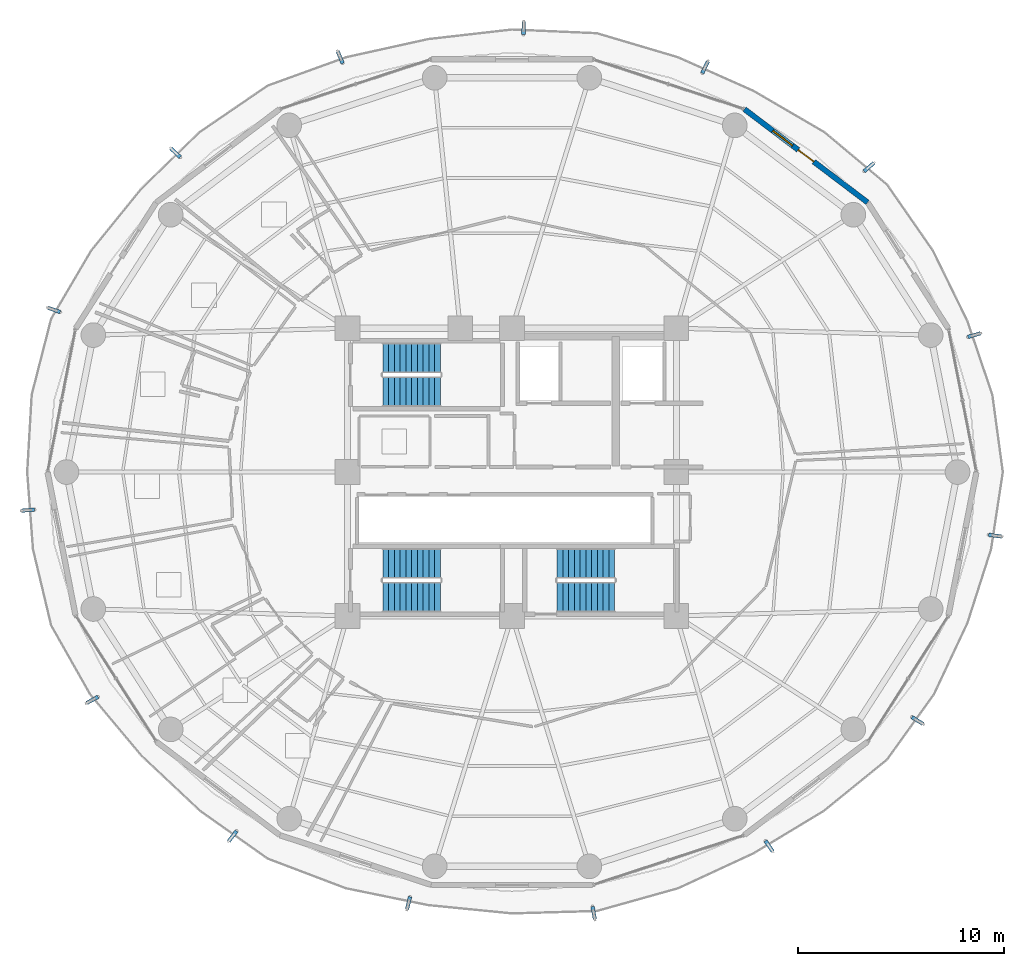
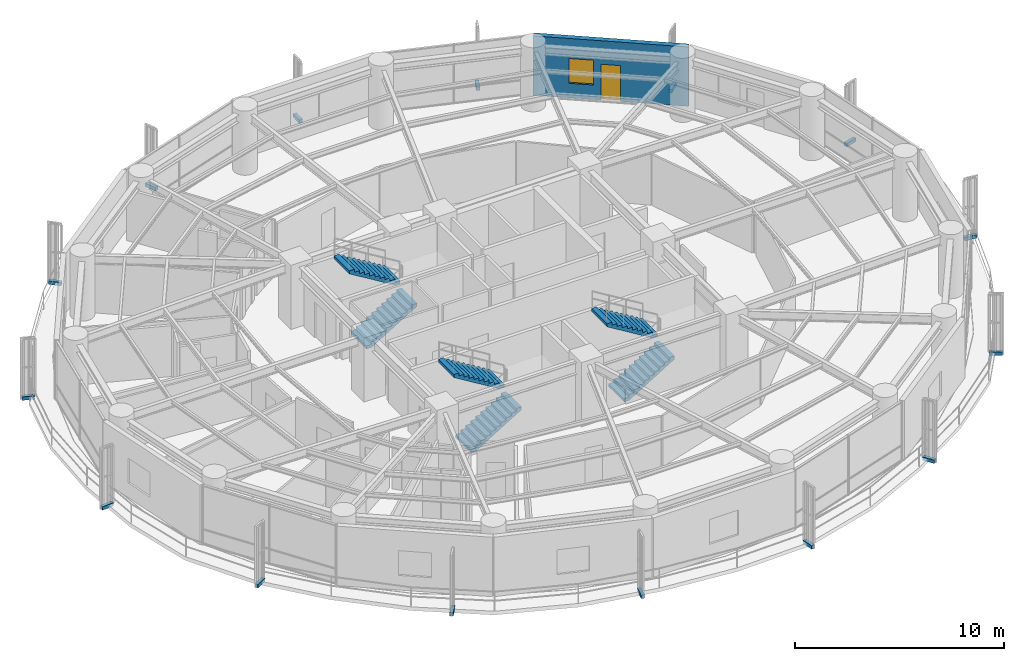
# One storey, part 24 of 27: 15 discrete accessories, 6 stair flights, 1 door, 1 wall, 1 window, 2 openings, 3 elements without a shape of their own.
"""IFC4 building model written with IfcOpenShell, lengths in metres."""

from ifc_helpers import new_model, si_unit, direction, frame, frame_2d, origin, origin_2d, place, context, subcontext, project, spatial, polyline, rectangle, outline, extrude, source, transform, mapped, material, layer, layer_set, type_object, element, fill, aggregate, save


model = new_model("IFC4")

# Units and contexts
model_context = context("Model", 3, precision=1e-05, world=origin(), true_north=direction((0.0, 1.0)))
body_context = subcontext(model_context, "Body", "Model", "MODEL_VIEW")
ifc_project = project(units=[si_unit("LENGTHUNIT", "METRE"), si_unit("AREAUNIT", "SQUARE_METRE"), si_unit("VOLUMEUNIT", "CUBIC_METRE"), si_unit("PLANEANGLEUNIT", "RADIAN"), si_unit("MASSUNIT", "GRAM", prefix="KILO")], contexts=[model_context])

# Site, building, storey
site_placement = place(None, origin())
site = spatial("IfcSite", under=ifc_project, at=site_placement, CompositionType="ELEMENT")
building_placement = place(site_placement, origin())
building = spatial("IfcBuilding", under=site, at=building_placement, Name="Kelanora Arch Commons", CompositionType="ELEMENT")
storey_placement = place(building_placement, frame((0.0, 0.0, 165.60009765625)))
storey = spatial("IfcBuildingStorey", under=building, at=storey_placement, Name="L42", CompositionType="ELEMENT", Elevation=165.60009765625)

# Wall, openings, door, window
ifc_material_1 = material(Name="Precast concrete C40/50 with terracotta rainscreen", Category="masonry")
ifc_layer = layer(ifc_material_1, 0.260009765625)
ifc_layer_set = layer_set([ifc_layer], Name="Precast concrete C40/50 with terracotta rainscreen")
wall_type = type_object("IfcWallType", Name="W-EXT-TC", PredefinedType="SOLIDWALL", material=ifc_layer_set)
wall_placement = place(storey_placement, frame((91.300537109375, 71.1220703125, 0.0), z_axis=(0.0, 0.0, 1.0), x_axis=(-0.797163719609, 0.603763202042, 0.0)))
wall = element("IfcWall", 1, at=wall_placement, inside=storey, type_object=wall_type, Name="Terracotta Exterior Wall L42-B02", PredefinedType="SOLIDWALL", context=body_context, shape_type="SweptSolid", body=[
    extrude(rectangle(XDim=7.51220703125, YDim=0.260009765625, at=frame_2d((3.756103515625, 0.0))), origin(), (0.0, 0.0, 1.0), 3.474853515625),
])
opening_1_placement = place(wall_placement, frame((3.281005859375, 0.0, 0.0)))
opening_1 = element("IfcOpeningElement", 2, at=opening_1_placement, cuts=wall, Name="Opening DB-01", PredefinedType="OPENING", context=body_context, shape_type="SweptSolid", body=[
    extrude(rectangle(XDim=0.949951171875, YDim=2.10009765625, at=frame_2d((0.47509765625, 1.050048828125))), frame((0.0, 0.14013671875, 0.0), z_axis=(0.0, -1.0, 0.0), x_axis=(1.0, 0.0, 0.0)), (0.0, 0.0, 1.0), 0.280029296875),
])
opening_2_placement = place(wall_placement, frame((4.5810546875, 0.0, 0.85009765625)))
opening_2 = element("IfcOpeningElement", 3, at=opening_2_placement, cuts=wall, Name="Opening WN-02", PredefinedType="OPENING", context=body_context, shape_type="SweptSolid", body=[
    extrude(rectangle(XDim=1.199951171875, YDim=1.449951171875, at=frame_2d((0.60009765625, 0.72509765625))), frame((0.0, 0.14013671875, 0.0), z_axis=(0.0, -1.0, 0.0), x_axis=(1.0, 0.0, 0.0)), (0.0, 0.0, 1.0), 0.280029296875),
])
ifc_material_2 = material(Name="Terracotta-aluminium thermally broken glazed balcony door", Category="masonry")
door_type = type_object("IfcDoorType", Name="D-BAL-10", OperationType="NOTDEFINED", PredefinedType="DOOR", material=ifc_material_2)
door_placement = place(opening_1_placement, frame((0.949951171875, 0.0, 0.0), z_axis=(0.0, 0.0, 1.0), x_axis=(-1.0, 0.0, 0.0)))
door = element("IfcDoor", 4, at=door_placement, inside=storey, type_object=door_type, Name="Wave Balcony Door L42-B02", OperationType="SINGLE_SWING_LEFT", OverallHeight=2.10009765625, OverallWidth=0.949951171875, PredefinedType="DOOR", context=body_context, shape_type="SweptSolid", body=[
    extrude(rectangle(XDim=0.949951171875, YDim=2.10009765625, at=frame_2d((0.47509765625, 1.050048828125))), frame((0.0, 0.02490234375, 0.0), z_axis=(0.0, -1.0, 0.0), x_axis=(1.0, 0.0, 0.0)), (0.0, 0.0, 1.0), 0.050048828125),
])
fill(opening_1, door)
ifc_material_3 = material(Name="Terracotta-anodised aluminium frame with operable awning sash", Category="masonry")
window_type = type_object("IfcWindowType", Name="WIN-CL-12", PartitioningType="SINGLE_PANEL", PredefinedType="WINDOW", material=ifc_material_3)
window_placement = place(opening_2_placement, origin())
window = element("IfcWindow", 5, at=window_placement, inside=storey, type_object=window_type, Name="Co-Living Operable Window L42-B02", OverallHeight=1.449951171875, OverallWidth=1.199951171875, PartitioningType="SINGLE_PANEL", PredefinedType="WINDOW", context=body_context, shape_type="SweptSolid", body=[
    extrude(rectangle(XDim=1.199951171875, YDim=1.449951171875, at=frame_2d((0.60009765625, 0.72509765625))), frame((0.0, 0.030029296875, 0.0), z_axis=(0.0, -1.0, 0.0), x_axis=(1.0, 0.0, 0.0)), (0.0, 0.0, 1.0), 0.06005859375),
])
fill(opening_2, window)

# Stair, stair flights
ifc_material_4 = material(Name="Concrete C40/50", Category="concrete")
stair_type = type_object("IfcStairType", Name="STR-DL-375", PredefinedType="HALF_TURN_STAIR", material=ifc_material_4)
stair_1_placement = place(storey_placement, origin())
stair_1 = element("IfcStair", 6, at=stair_1_placement, inside=storey, type_object=stair_type, Name="L42 ST-T1", PredefinedType="HALF_TURN_STAIR")
stair_flight_type = type_object("IfcStairFlightType", Name="FLT-DL-375", PredefinedType="STRAIGHT", material=ifc_material_4)
stair_flight_1_placement = place(storey_placement, frame((67.719970703125, 61.919921875, 0.0), z_axis=(0.0, 0.0, 1.0), x_axis=(1.0, 0.0, 0.0)))
stair_flight_1 = element("IfcStairFlight", 7, at=stair_flight_1_placement, type_object=stair_flight_type, Name="ST-T1 flight 1", NumberOfRisers=11, NumberOfTreads=10, PredefinedType="STRAIGHT", RiserHeight=0.170454545, TreadLength=0.28, context=body_context, shape_type="SweptSolid", body=[
    extrude(outline(polyline([(0.0, 0.0), (0.0, 0.17041015625), (0.280029296875, 0.17041015625), (0.280029296875, 0.3408203125), (0.56005859375, 0.3408203125), (0.56005859375, 0.511474609375), (0.840087890625, 0.511474609375), (0.840087890625, 0.681884765625), (1.1201171875, 0.681884765625), (1.1201171875, 0.852294921875), (1.39990234375, 0.852294921875), (1.39990234375, 1.022705078125), (1.679931640625, 1.022705078125), (1.679931640625, 1.193115234375), (1.9599609375, 1.193115234375), (1.9599609375, 1.363525390625), (2.239990234375, 1.363525390625), (2.239990234375, 1.5341796875), (2.52001953125, 1.5341796875), (2.52001953125, 1.70458984375), (2.800048828125, 1.70458984375), (2.800048828125, 1.875), (2.800048828125, 1.529052734375), (0.288330078125, 0.0), (0.0, 0.0)])), frame((0.0, 0.739990234375, 0.0), z_axis=(0.0, -1.0, 0.0), x_axis=(1.0, 0.0, 0.0)), (0.0, 0.0, 1.0), 1.47998046875),
])
stair_flight_2_placement = place(storey_placement, frame((70.52001953125, 63.550048828125, 1.875), z_axis=(0.0, 0.0, 1.0), x_axis=(-1.0, 0.0, 0.0)))
stair_flight_2 = element("IfcStairFlight", 8, at=stair_flight_2_placement, type_object=stair_flight_type, Name="ST-T1 flight 2", NumberOfRisers=11, NumberOfTreads=10, PredefinedType="STRAIGHT", RiserHeight=0.170454545, TreadLength=0.28, context=body_context, shape_type="SweptSolid", body=[
    extrude(outline(polyline([(0.0, 0.0), (0.0, 0.17041015625), (0.280029296875, 0.17041015625), (0.280029296875, 0.3408203125), (0.56005859375, 0.3408203125), (0.56005859375, 0.511474609375), (0.840087890625, 0.511474609375), (0.840087890625, 0.681884765625), (1.1201171875, 0.681884765625), (1.1201171875, 0.852294921875), (1.39990234375, 0.852294921875), (1.39990234375, 1.022705078125), (1.679931640625, 1.022705078125), (1.679931640625, 1.193115234375), (1.9599609375, 1.193115234375), (1.9599609375, 1.363525390625), (2.239990234375, 1.363525390625), (2.239990234375, 1.5341796875), (2.52001953125, 1.5341796875), (2.52001953125, 1.70458984375), (2.800048828125, 1.70458984375), (2.800048828125, 1.875), (2.800048828125, 1.529052734375), (0.288330078125, 0.0), (0.0, 0.0)])), frame((0.0, 0.739990234375, 0.0), z_axis=(0.0, -1.0, 0.0), x_axis=(1.0, 0.0, 0.0)), (0.0, 0.0, 1.0), 1.47998046875),
])
aggregate(stair_1, [stair_flight_1, stair_flight_2])

stair_2_placement = place(storey_placement, origin())
stair_2 = element("IfcStair", 9, at=stair_2_placement, inside=storey, type_object=stair_type, Name="L42 ST-T2", PredefinedType="HALF_TURN_STAIR")
stair_flight_3_placement = place(storey_placement, frame((76.199951171875, 51.919921875, 0.0), z_axis=(0.0, 0.0, 1.0), x_axis=(1.0, 0.0, 0.0)))
stair_flight_3 = element("IfcStairFlight", 10, at=stair_flight_3_placement, type_object=stair_flight_type, Name="ST-T2 flight 1", NumberOfRisers=11, NumberOfTreads=10, PredefinedType="STRAIGHT", RiserHeight=0.170454545, TreadLength=0.28, context=body_context, shape_type="SweptSolid", body=[
    extrude(outline(polyline([(0.0, 0.0), (0.0, 0.17041015625), (0.280029296875, 0.17041015625), (0.280029296875, 0.3408203125), (0.56005859375, 0.3408203125), (0.56005859375, 0.511474609375), (0.840087890625, 0.511474609375), (0.840087890625, 0.681884765625), (1.1201171875, 0.681884765625), (1.1201171875, 0.852294921875), (1.39990234375, 0.852294921875), (1.39990234375, 1.022705078125), (1.679931640625, 1.022705078125), (1.679931640625, 1.193115234375), (1.9599609375, 1.193115234375), (1.9599609375, 1.363525390625), (2.239990234375, 1.363525390625), (2.239990234375, 1.5341796875), (2.52001953125, 1.5341796875), (2.52001953125, 1.70458984375), (2.800048828125, 1.70458984375), (2.800048828125, 1.875), (2.800048828125, 1.529052734375), (0.288330078125, 0.0), (0.0, 0.0)])), frame((0.0, 0.739990234375, 0.0), z_axis=(0.0, -1.0, 0.0), x_axis=(1.0, 0.0, 0.0)), (0.0, 0.0, 1.0), 1.47998046875),
])
stair_flight_4_placement = place(storey_placement, frame((79.0, 53.550048828125, 1.875), z_axis=(0.0, 0.0, 1.0), x_axis=(-1.0, 0.0, 0.0)))
stair_flight_4 = element("IfcStairFlight", 11, at=stair_flight_4_placement, type_object=stair_flight_type, Name="ST-T2 flight 2", NumberOfRisers=11, NumberOfTreads=10, PredefinedType="STRAIGHT", RiserHeight=0.170454545, TreadLength=0.28, context=body_context, shape_type="SweptSolid", body=[
    extrude(outline(polyline([(0.0, 0.0), (0.0, 0.17041015625), (0.280029296875, 0.17041015625), (0.280029296875, 0.3408203125), (0.56005859375, 0.3408203125), (0.56005859375, 0.511474609375), (0.840087890625, 0.511474609375), (0.840087890625, 0.681884765625), (1.1201171875, 0.681884765625), (1.1201171875, 0.852294921875), (1.39990234375, 0.852294921875), (1.39990234375, 1.022705078125), (1.679931640625, 1.022705078125), (1.679931640625, 1.193115234375), (1.9599609375, 1.193115234375), (1.9599609375, 1.363525390625), (2.239990234375, 1.363525390625), (2.239990234375, 1.5341796875), (2.52001953125, 1.5341796875), (2.52001953125, 1.70458984375), (2.800048828125, 1.70458984375), (2.800048828125, 1.875), (2.800048828125, 1.529052734375), (0.288330078125, 0.0), (0.0, 0.0)])), frame((0.0, 0.739990234375, 0.0), z_axis=(0.0, -1.0, 0.0), x_axis=(1.0, 0.0, 0.0)), (0.0, 0.0, 1.0), 1.47998046875),
])
aggregate(stair_2, [stair_flight_3, stair_flight_4])

stair_3_placement = place(storey_placement, origin())
stair_3 = element("IfcStair", 12, at=stair_3_placement, inside=storey, type_object=stair_type, Name="L42 ST-T3", PredefinedType="HALF_TURN_STAIR")
stair_flight_5_placement = place(storey_placement, frame((67.719970703125, 51.919921875, 0.0), z_axis=(0.0, 0.0, 1.0), x_axis=(1.0, 0.0, 0.0)))
stair_flight_5 = element("IfcStairFlight", 13, at=stair_flight_5_placement, type_object=stair_flight_type, Name="ST-T3 flight 1", NumberOfRisers=11, NumberOfTreads=10, PredefinedType="STRAIGHT", RiserHeight=0.170454545, TreadLength=0.28, context=body_context, shape_type="SweptSolid", body=[
    extrude(outline(polyline([(0.0, 0.0), (0.0, 0.17041015625), (0.280029296875, 0.17041015625), (0.280029296875, 0.3408203125), (0.56005859375, 0.3408203125), (0.56005859375, 0.511474609375), (0.840087890625, 0.511474609375), (0.840087890625, 0.681884765625), (1.1201171875, 0.681884765625), (1.1201171875, 0.852294921875), (1.39990234375, 0.852294921875), (1.39990234375, 1.022705078125), (1.679931640625, 1.022705078125), (1.679931640625, 1.193115234375), (1.9599609375, 1.193115234375), (1.9599609375, 1.363525390625), (2.239990234375, 1.363525390625), (2.239990234375, 1.5341796875), (2.52001953125, 1.5341796875), (2.52001953125, 1.70458984375), (2.800048828125, 1.70458984375), (2.800048828125, 1.875), (2.800048828125, 1.529052734375), (0.288330078125, 0.0), (0.0, 0.0)])), frame((0.0, 0.739990234375, 0.0), z_axis=(0.0, -1.0, 0.0), x_axis=(1.0, 0.0, 0.0)), (0.0, 0.0, 1.0), 1.47998046875),
])
stair_flight_6_placement = place(storey_placement, frame((70.52001953125, 53.550048828125, 1.875), z_axis=(0.0, 0.0, 1.0), x_axis=(-1.0, 0.0, 0.0)))
stair_flight_6 = element("IfcStairFlight", 14, at=stair_flight_6_placement, type_object=stair_flight_type, Name="ST-T3 flight 2", NumberOfRisers=11, NumberOfTreads=10, PredefinedType="STRAIGHT", RiserHeight=0.170454545, TreadLength=0.28, context=body_context, shape_type="SweptSolid", body=[
    extrude(outline(polyline([(0.0, 0.0), (0.0, 0.17041015625), (0.280029296875, 0.17041015625), (0.280029296875, 0.3408203125), (0.56005859375, 0.3408203125), (0.56005859375, 0.511474609375), (0.840087890625, 0.511474609375), (0.840087890625, 0.681884765625), (1.1201171875, 0.681884765625), (1.1201171875, 0.852294921875), (1.39990234375, 0.852294921875), (1.39990234375, 1.022705078125), (1.679931640625, 1.022705078125), (1.679931640625, 1.193115234375), (1.9599609375, 1.193115234375), (1.9599609375, 1.363525390625), (2.239990234375, 1.363525390625), (2.239990234375, 1.5341796875), (2.52001953125, 1.5341796875), (2.52001953125, 1.70458984375), (2.800048828125, 1.70458984375), (2.800048828125, 1.875), (2.800048828125, 1.529052734375), (0.288330078125, 0.0), (0.0, 0.0)])), frame((0.0, 0.739990234375, 0.0), z_axis=(0.0, -1.0, 0.0), x_axis=(1.0, 0.0, 0.0)), (0.0, 0.0, 1.0), 1.47998046875),
])
aggregate(stair_3, [stair_flight_5, stair_flight_6])

# Discrete accessories
ifc_material_5 = material(Name="Stainless steel 316 marine fin bracket", Category="steel")
discrete_accessory_type = type_object("IfcDiscreteAccessoryType", Name="ACC-FIN-BRK", PredefinedType="BRACKET", material=ifc_material_5)
shared_shape = source(origin(), body_context, "Body", "SweptSolid", [
    extrude(rectangle(XDim=0.6328125, YDim=0.179931640625, at=origin_2d()), origin(), (0.0, 0.0, 1.0), 0.199951171875),
])
for number, where, z_axis, x_axis, name in (
    (15, (97.505859375, 54.90576171875, -0.16015625), (0.0, 0.0, 1.0), (0.991444861374, -0.13052619222, 0.0), "Sweeping Fin Cantilever Spine Bracket L42-00"),
    (16, (96.489013671875, 64.662109375, -0.16015625), (0.0, 0.0, 1.0), (0.958819734868, 0.284015344704, 0.0), "Sweeping Fin Cantilever Spine Bracket L42-01"),
    (17, (91.376953125, 72.841796875, -0.16015625), (0.0, 0.0, 1.0), (0.7604059656, 0.64944804833, 0.0), "Sweeping Fin Cantilever Spine Bracket L42-02"),
    (18, (83.396240234375, 77.70068359375, -0.16015625), (0.0, 0.0, 1.0), (0.430511096808, 0.90258528435, 0.0), "Sweeping Fin Cantilever Spine Bracket L42-03"),
    (19, (74.5654296875, 79.606201171875, -0.16015625), (0.0, 0.0, 1.0), (0.026176948308, 0.999657324976, 0.0), "Sweeping Fin Cantilever Spine Bracket L42-04"),
    (20, (65.639404296875, 78.183349609375, -0.16015625), (0.0, 0.0, 1.0), (-0.382683432365, 0.923879532511, 0.0), "Sweeping Fin Cantilever Spine Bracket L42-05"),
    (21, (57.62646484375, 73.537353515625, -0.16015625), (0.0, 0.0, 1.0), (-0.725374371012, 0.688354575694, 0.0), "Sweeping Fin Cantilever Spine Bracket L42-06"),
    (22, (51.71923828125, 65.8896484375, -0.16015625), (0.0, 0.0, 1.0), (-0.942641491092, 0.333806859234, 0.0), "Sweeping Fin Cantilever Spine Bracket L42-07"),
    (23, (50.45263671875, 56.146484375, -0.16015625), (0.0, 0.0, 1.0), (-0.996917333733, -0.078459095728, 0.0), "Sweeping Fin Cantilever Spine Bracket L42-08"),
    (24, (53.579345703125, 46.912109375, -0.16015625), (0.0, 0.0, 1.0), (-0.878817112662, -0.47715876026, 0.0), "Sweeping Fin Cantilever Spine Bracket L42-09"),
    (25, (60.406005859375, 40.283203125, -0.16015625), (0.0, 0.0, 1.0), (-0.608761429009, -0.793353340291, 0.0), "Sweeping Fin Cantilever Spine Bracket L42-10"),
    (26, (68.9658203125, 37.029296875, -0.16015625), (0.0, 0.0, 1.0), (-0.233445363856, -0.972369920398, 0.0), "Sweeping Fin Cantilever Spine Bracket L42-11"),
    (27, (77.976806640625, 36.54541015625, -0.16015625), (0.0, 0.0, 1.0), (0.182235525492, -0.983254907564, 0.0), "Sweeping Fin Cantilever Spine Bracket L42-12"),
    (28, (86.5107421875, 39.797607421875, -0.16015625), (0.0, 0.0, 1.0), (0.566406236925, -0.824126188622, 0.0), "Sweeping Fin Cantilever Spine Bracket L42-13"),
    (29, (93.72900390625, 45.91064453125, -0.16015625), (0.0, 0.0, 1.0), (0.852640164354, -0.522498564716, 0.0), "Sweeping Fin Cantilever Spine Bracket L42-14"),
):
    element("IfcDiscreteAccessory", number, at=place(storey_placement, frame(where, z_axis=z_axis, x_axis=x_axis)), inside=storey, type_object=discrete_accessory_type, Name=name, PredefinedType="BRACKET", context=body_context, shape_type="MappedRepresentation", body=[
        mapped(shared_shape, transform((0.0, 0.0, 0.0), scale=1.0)),
    ])

save(model, "model.ifc")
